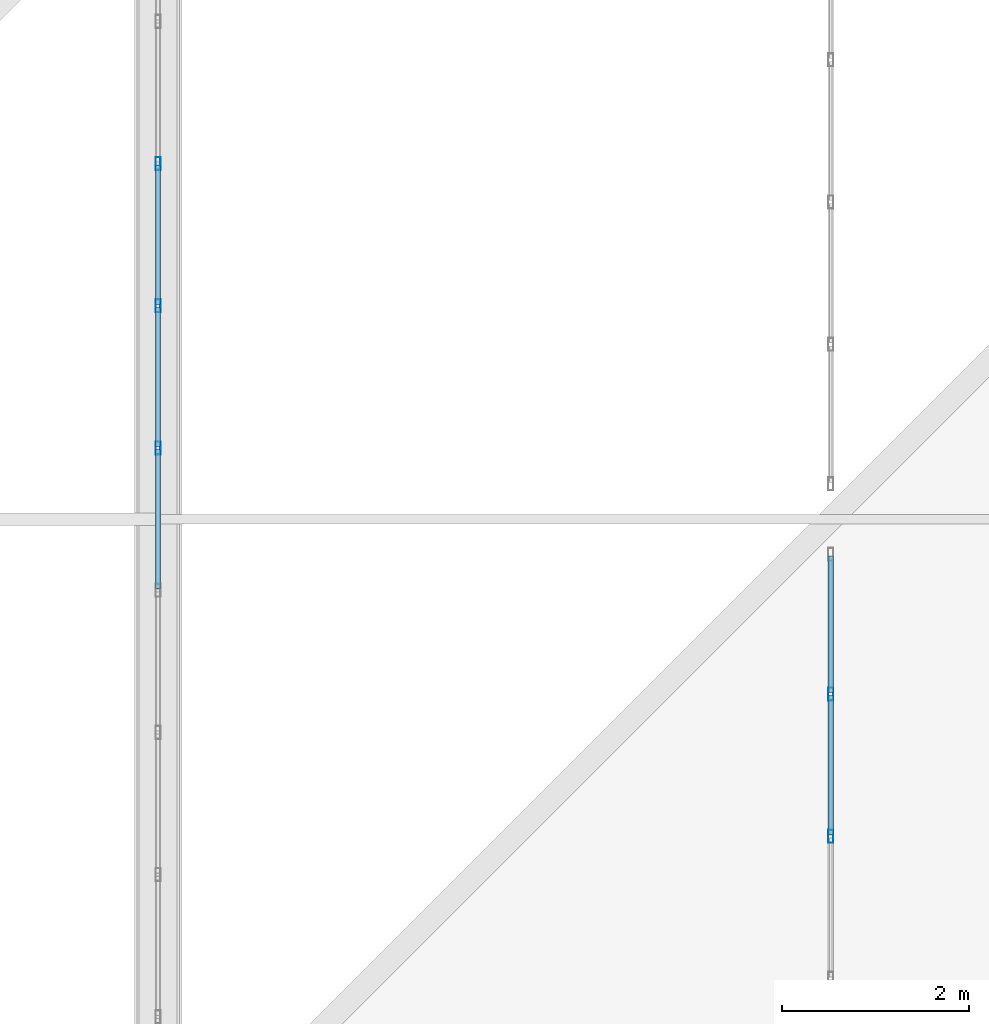
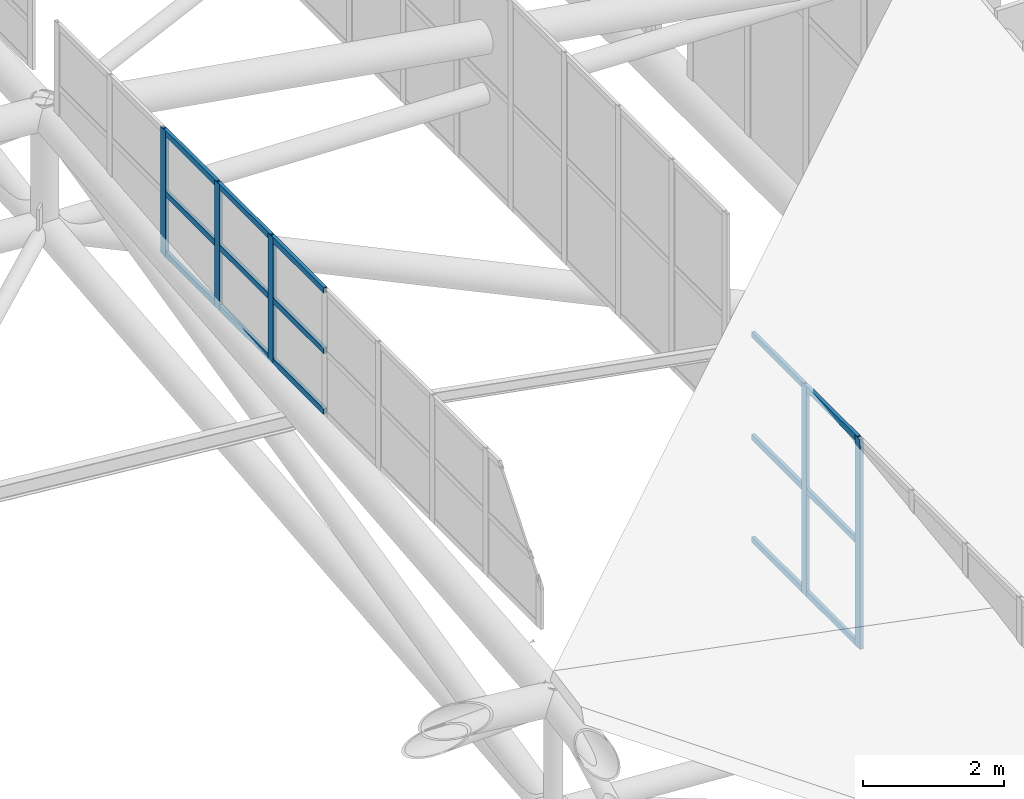
# One storey, part 141 of 397: 20 members, 2 elements without a shape of their own.
"""IFC4 building model written with IfcOpenShell, lengths in metres."""

import ifcopenshell
import ifcopenshell.guid

model = None  # the IFC model being written
_history = None  # IfcOwnerHistory: only IFC2X3 demands one
_inside = {}  # id of a spatial element -> (the spatial element, [elements in it])
_under = {}  # id of a project, library or spatial element -> (it, [spatial elements below it])
_declared = {}  # id of a project -> (the project, [libraries it declares])
_typed = {}  # id of a type object -> (the type object, [elements of that type])
_made_of = {}  # id of a material, layer set ... -> (it, [elements and type objects made of it])


def new_model(schema):
    """Start an empty IFC model of exactly this schema.

    Asked for "IFC4X3", IfcOpenShell would pick the latest addendum, in which some entities
    have other attributes; the version numbers below select the first issue.
    IFC2X3 requires an IfcOwnerHistory on every rooted entity: one is made here for all.
    """
    global model, _history
    if schema == "IFC4X3":
        model = ifcopenshell.file(schema_version=(4, 3, 0, 0))
    else:
        model = ifcopenshell.file(schema=schema)
    _inside.clear()
    _under.clear()
    _declared.clear()
    _typed.clear()
    _made_of.clear()
    _history = None
    if model.schema == "IFC2X3":
        org = make("IfcOrganization", Name="unknown")
        user = make(
            "IfcPersonAndOrganization",
            ThePerson=make("IfcPerson", FamilyName="unknown"),
            TheOrganization=org,
        )
        app = make(
            "IfcApplication",
            ApplicationDeveloper=org,
            Version="unknown",
            ApplicationFullName="unknown",
            ApplicationIdentifier="unknown",
        )
        _history = make(
            "IfcOwnerHistory",
            OwningUser=user,
            OwningApplication=app,
            ChangeAction="ADDED",
            CreationDate=0,
        )
    return model


def make(cls, **values):
    """One entity of the class cls with the attributes given. An attribute that is None is left unset."""
    return model.create_entity(
        cls, **{name: value for name, value in values.items() if value is not None}
    )


def rooted(cls, **values):
    """An entity with a GlobalId (a new one), such as an element, a storey or a relation."""
    return make(cls, GlobalId=ifcopenshell.guid.new(), OwnerHistory=_history, **values)


def si_unit(unit_type, name, prefix=None):
    """IfcSIUnit, for example si_unit("LENGTHUNIT", "METRE", prefix="MILLI")."""
    return make("IfcSIUnit", UnitType=unit_type, Prefix=prefix, Name=name)


def assignment(units):
    """IfcUnitAssignment: the units of a project."""
    return None if units is None else make("IfcUnitAssignment", Units=units)


def point(xyz):
    """IfcCartesianPoint."""
    return None if xyz is None else make("IfcCartesianPoint", Coordinates=xyz)


def direction(xyz):
    """IfcDirection."""
    return None if xyz is None else make("IfcDirection", DirectionRatios=xyz)


def frame(location, z_axis=None, x_axis=None):
    """IfcAxis2Placement3D, a coordinate frame: its origin and axes. An axis left out is left unset."""
    return make(
        "IfcAxis2Placement3D",
        Location=point(location),
        Axis=direction(z_axis),
        RefDirection=direction(x_axis),
    )


def frame_2d(location, x_axis=None):
    """IfcAxis2Placement2D, a coordinate frame in the plane: its origin and x axis."""
    return make(
        "IfcAxis2Placement2D", Location=point(location), RefDirection=direction(x_axis)
    )


def origin():
    """The frame at (0, 0, 0) with its axes left unset."""
    return frame((0.0, 0.0, 0.0))


def origin_2d():
    """The frame at (0, 0) in the plane with its x axis left unset."""
    return frame_2d((0.0, 0.0))


def place(relative_to, where):
    """IfcLocalPlacement: puts the frame where relative to a parent placement (None: the world)."""
    return make(
        "IfcLocalPlacement", PlacementRelTo=relative_to, RelativePlacement=where
    )


def context(
    kind, dimensions, precision=None, world=None, true_north=None, identifier=None
):
    """IfcGeometricRepresentationContext, for example the 3D "Model" context."""
    return make(
        "IfcGeometricRepresentationContext",
        ContextIdentifier=identifier,
        ContextType=kind,
        CoordinateSpaceDimension=dimensions,
        Precision=precision,
        WorldCoordinateSystem=world,
        TrueNorth=true_north,
    )


def subcontext(parent, identifier, kind, view, scale=None):
    """IfcGeometricRepresentationSubContext, for example "Body" below "Model"."""
    return make(
        "IfcGeometricRepresentationSubContext",
        ContextIdentifier=identifier,
        ContextType=kind,
        ParentContext=parent,
        TargetScale=scale,
        TargetView=view,
    )


def project(units=None, contexts=None):
    """IfcProject with its units and contexts."""
    return rooted(
        "IfcProject",
        Name="project",
        RepresentationContexts=contexts,
        UnitsInContext=assignment(units),
    )


def spatial(cls, under=None, at=None, **own):
    """A site, building, storey or space (cls), placed at a placement, below another one or the project."""
    s = rooted(cls, ObjectPlacement=at, **own)
    if under is not None:
        _under.setdefault(under.id(), (under, []))[1].append(s)
    return s


def profile(cls, at=None, kind="AREA", **sizes):
    """A parametric profile (cls). Its sizes go by their IFC names, for example OverallWidth=200.0."""
    return make(cls, ProfileType=kind, Position=at, **sizes)


def hollow_rectangle(**sizes):
    """IfcRectangleHollowProfileDef."""
    return profile("IfcRectangleHollowProfileDef", **sizes)


def extrude(swept, where, along, depth):
    """IfcExtrudedAreaSolid: the profile swept, set in the frame where, extruded along a direction by depth."""
    return make(
        "IfcExtrudedAreaSolid",
        SweptArea=swept,
        Position=where,
        ExtrudedDirection=direction(along),
        Depth=depth,
    )


def shape(context_of_items, identifier, shape_type, items):
    """IfcShapeRepresentation: the items that make up one representation, for example the "Body"."""
    return make(
        "IfcShapeRepresentation",
        ContextOfItems=context_of_items,
        RepresentationIdentifier=identifier,
        RepresentationType=shape_type,
        Items=items,
    )


def material(Name=None, Category=None):
    """IfcMaterial."""
    return make("IfcMaterial", Name=Name, Category=Category)


def material_profile(
    of_material, cross_section, Name=None, Category=None, Priority=None
):
    """IfcMaterialProfile: a cross section and its material."""
    return make(
        "IfcMaterialProfile",
        Name=Name,
        Material=of_material,
        Profile=cross_section,
        Priority=Priority,
        Category=Category,
    )


def profile_set(profiles, Name=None, composite=None):
    """IfcMaterialProfileSet."""
    return make(
        "IfcMaterialProfileSet",
        Name=Name,
        MaterialProfiles=profiles,
        CompositeProfile=composite,
    )


def made_of(thing, what):
    """Note that an element or type object is made of a material, layer set ...; save() writes the relation."""
    if what is not None:
        _made_of.setdefault(what.id(), (what, []))[1].append(thing)
    return thing


def type_object(cls, material=None, **own):
    """A type object (cls), such as IfcWallType, which elements share."""
    return made_of(rooted(cls, **own), material)


def element(
    cls,
    number,
    at=None,
    inside=None,
    cuts=None,
    type_object=None,
    material=None,
    context=None,
    identifier="Body",
    shape_type=None,
    held_by="IfcProductDefinitionShape",
    body=None,
    shapes=None,
    **own,
):
    """One element of the class cls, such as IfcWall. Its Tag is "e" and its number.

    at: its placement. inside: the storey or other place that contains it. cuts: it is an
    opening in that element (IfcRelVoidsElement). A single representation is given by context,
    identifier, shape_type and body (its items); several are given by shapes. held_by: the class
    of the entity that holds the representations. save() writes the other relations.
    """
    e = rooted(cls, Tag="e%d" % number, ObjectPlacement=at, **own)
    if body is not None:
        shapes = [shape(context, identifier, shape_type, body)]
    if shapes is not None:
        e.Representation = make(held_by, Representations=shapes)
    if inside is not None:
        _inside.setdefault(inside.id(), (inside, []))[1].append(e)
    if cuts is not None:
        rooted(
            "IfcRelVoidsElement", RelatingBuildingElement=cuts, RelatedOpeningElement=e
        )
    if type_object is not None:
        _typed.setdefault(type_object.id(), (type_object, []))[1].append(e)
    return made_of(e, material)


def aggregate(whole, parts):
    """IfcRelAggregates: a whole, such as a stair, and the parts it consists of."""
    return rooted("IfcRelAggregates", RelatingObject=whole, RelatedObjects=parts)


def save(model, path):
    """Write the relations noted so far, then the file.

    IfcRelAggregates (storeys below a building ...), IfcRelContainedInSpatialStructure (elements
    in a storey), IfcRelDefinesByType, IfcRelAssociatesMaterial and IfcRelDeclares: one each for
    every whole, place, type object, material and project.
    """
    for whole, parts in _under.values():
        aggregate(whole, parts)
    for where, things in _inside.values():
        rooted(
            "IfcRelContainedInSpatialStructure",
            RelatedElements=things,
            RelatingStructure=where,
        )
    for kind, things in _typed.values():
        rooted("IfcRelDefinesByType", RelatedObjects=things, RelatingType=kind)
    for what, things in _made_of.values():
        rooted("IfcRelAssociatesMaterial", RelatedObjects=things, RelatingMaterial=what)
    for by, libraries in _declared.values():
        rooted("IfcRelDeclares", RelatingContext=by, RelatedDefinitions=libraries)
    model.write(path)


model = new_model("IFC4")

# Units and contexts
model_context = context("Model", 3, precision=1e-05, world=origin(), true_north=direction((0.0, 1.0)))
body_context = subcontext(model_context, "Body", "Model", "MODEL_VIEW")
ifc_project = project(units=[si_unit("LENGTHUNIT", "METRE"), si_unit("AREAUNIT", "SQUARE_METRE"), si_unit("VOLUMEUNIT", "CUBIC_METRE"), si_unit("PLANEANGLEUNIT", "RADIAN"), si_unit("MASSUNIT", "GRAM", prefix="KILO")], contexts=[model_context])

# Site, building, storey
site_placement = place(None, origin())
site = spatial("IfcSite", under=ifc_project, at=site_placement, CompositionType="ELEMENT")
building_placement = place(site_placement, origin())
building = spatial("IfcBuilding", under=site, at=building_placement, Name="Qandorah Velis Arena", CompositionType="ELEMENT")
storey_placement = place(building_placement, frame((0.0, 0.0, 27.5)))
storey = spatial("IfcBuildingStorey", under=building, at=storey_placement, Name="RF", CompositionType="ELEMENT", Elevation=27.5)

# Curtain wall, members
ifc_material_1 = material(Name="Solar-control low-E double glazing", Category="glass")
curtain_wall_type_1 = type_object("IfcCurtainWallType", Name="ARC-CW-SYS13", PredefinedType="USERDEFINED", material=ifc_material_1)
curtain_wall_1_placement = place(storey_placement, origin())
curtain_wall_1 = element("IfcCurtainWall", 1, at=curtain_wall_1_placement, inside=storey, type_object=curtain_wall_type_1, Name="Unitised curtain wall MON-2-1", ObjectType="UNITISED CURTAIN WALL", PredefinedType="USERDEFINED")
ifc_material_2 = material(Name="Champagne-bronze anodized aluminium 6063-T6", Category="aluminium")
ifc_material_profile_1 = material_profile(ifc_material_2, hollow_rectangle(XDim=0.054931640625, YDim=0.139892578125, WallThickness=0.0029296875, at=origin_2d()), Name="ALU MULLION 55x140")
ifc_profile_set_1 = profile_set([ifc_material_profile_1], Name="Champagne-bronze anodized aluminium 6063-T6")
member_type_1 = type_object("IfcMemberType", Name="ARC-CWM-140", PredefinedType="MULLION", material=ifc_profile_set_1)
member_1_placement = place(storey_placement, frame((108.0, 32.60546875, 3.5263671875), z_axis=(0.0, 0.0, 1.0), x_axis=(-1.0, 0.0, 0.0)))
member_1 = element("IfcMember", 2, at=member_1_placement, type_object=member_type_1, Name="CW13 mullion 8", PredefinedType="MULLION", context=body_context, shape_type="SweptSolid", body=[
    extrude(hollow_rectangle(XDim=0.054931640625, YDim=0.139892578125, WallThickness=0.0029296875, at=origin_2d()), origin(), (0.0, 0.0, 1.0), 3.630126953125),
])
member_2_placement = place(storey_placement, frame((108.0, 34.127685546875, 3.5263671875), z_axis=(0.0, 0.0, 1.0), x_axis=(-1.0, 0.0, 0.0)))
member_2 = element("IfcMember", 3, at=member_2_placement, type_object=member_type_1, Name="CW13 mullion 9", PredefinedType="MULLION", context=body_context, shape_type="SweptSolid", body=[
    extrude(hollow_rectangle(XDim=0.054931640625, YDim=0.139892578125, WallThickness=0.0029296875, at=origin_2d()), origin(), (0.0, 0.0, 1.0), 3.630126953125),
])

curtain_wall_type_2 = type_object("IfcCurtainWallType", Name="ARC-CW-SYS11", PredefinedType="USERDEFINED", material=ifc_material_1)
curtain_wall_2_placement = place(storey_placement, origin())
curtain_wall_2 = element("IfcCurtainWall", 4, at=curtain_wall_2_placement, inside=storey, type_object=curtain_wall_type_2, Name="Unitised curtain wall OCULUS-2-1", ObjectType="UNITISED CURTAIN WALL", PredefinedType="USERDEFINED")
member_3_placement = place(storey_placement, frame((100.800048828125, 36.76123046875, 8.470947265625), z_axis=(0.0, 0.0, 1.0), x_axis=(-1.0, 0.0, 0.0)))
member_3 = element("IfcMember", 5, at=member_3_placement, type_object=member_type_1, Name="CW11 mullion 6", PredefinedType="MULLION", context=body_context, shape_type="SweptSolid", body=[
    extrude(hollow_rectangle(XDim=0.054931640625, YDim=0.139892578125, WallThickness=0.0029296875, at=origin_2d()), origin(), (0.0, 0.0, 1.0), 2.179931640625),
])
member_4_placement = place(storey_placement, frame((100.800048828125, 38.283447265625, 8.470947265625), z_axis=(0.0, 0.0, 1.0), x_axis=(-1.0, 0.0, 0.0)))
member_4 = element("IfcMember", 6, at=member_4_placement, type_object=member_type_1, Name="CW11 mullion 7", PredefinedType="MULLION", context=body_context, shape_type="SweptSolid", body=[
    extrude(hollow_rectangle(XDim=0.054931640625, YDim=0.139892578125, WallThickness=0.0029296875, at=origin_2d()), origin(), (0.0, 0.0, 1.0), 2.179931640625),
])
member_5_placement = place(storey_placement, frame((100.800048828125, 39.8056640625, 8.470947265625), z_axis=(0.0, 0.0, 1.0), x_axis=(-1.0, 0.0, 0.0)))
member_5 = element("IfcMember", 7, at=member_5_placement, type_object=member_type_1, Name="CW11 mullion 8", PredefinedType="MULLION", context=body_context, shape_type="SweptSolid", body=[
    extrude(hollow_rectangle(XDim=0.054931640625, YDim=0.139892578125, WallThickness=0.0029296875, at=origin_2d()), origin(), (0.0, 0.0, 1.0), 2.179931640625),
])

# Member
ifc_material_profile_2 = material_profile(ifc_material_2, hollow_rectangle(XDim=0.054931640625, YDim=0.10009765625, WallThickness=0.0029296875, at=origin_2d()), Name="ALU TRANSOM 55x100")
ifc_profile_set_2 = profile_set([ifc_material_profile_2], Name="Champagne-bronze anodized aluminium 6063-T6")
member_type_2 = type_object("IfcMemberType", Name="ARC-CWT-100", PredefinedType="USERDEFINED", material=ifc_profile_set_2)
member_6_placement = place(storey_placement, frame((108.0, 32.62109375, 3.56884765625), z_axis=(0.0, 1.0, 0.0), x_axis=(-1.0, 0.0, 0.0)))
member_6 = element("IfcMember", 8, at=member_6_placement, type_object=member_type_2, Name="CW13 transom 8.1", ObjectType="TRANSOM", PredefinedType="USERDEFINED", context=body_context, shape_type="SweptSolid", body=[
    extrude(hollow_rectangle(XDim=0.054931640625, YDim=0.10009765625, WallThickness=0.0029296875, at=origin_2d()), origin(), (0.0, 0.0, 1.0), 1.4912109375),
])

member_7_placement = place(storey_placement, frame((108.0, 32.62109375, 5.34130859375), z_axis=(0.0, 1.0, 0.0), x_axis=(-1.0, 0.0, 0.0)))
member_7 = element("IfcMember", 9, at=member_7_placement, type_object=member_type_2, Name="CW13 transom 8.2", ObjectType="TRANSOM", PredefinedType="USERDEFINED", context=body_context, shape_type="SweptSolid", body=[
    extrude(hollow_rectangle(XDim=0.054931640625, YDim=0.10009765625, WallThickness=0.0029296875, at=origin_2d()), origin(), (0.0, 0.0, 1.0), 1.4912109375),
])

member_8_placement = place(storey_placement, frame((108.0, 32.62109375, 7.114013671875), z_axis=(0.0, 1.0, 0.0), x_axis=(-1.0, 0.0, 0.0)))
member_8 = element("IfcMember", 10, at=member_8_placement, type_object=member_type_2, Name="CW13 transom 8.3", ObjectType="TRANSOM", PredefinedType="USERDEFINED", context=body_context, shape_type="SweptSolid", body=[
    extrude(hollow_rectangle(XDim=0.054931640625, YDim=0.10009765625, WallThickness=0.0029296875, at=origin_2d()), origin(), (0.0, 0.0, 1.0), 1.4912109375),
])

member_9_placement = place(storey_placement, frame((108.0, 34.143310546875, 3.56884765625), z_axis=(0.0, 1.0, 0.0), x_axis=(-1.0, 0.0, 0.0)))
member_9 = element("IfcMember", 11, at=member_9_placement, type_object=member_type_2, Name="CW13 transom 9.1", ObjectType="TRANSOM", PredefinedType="USERDEFINED", context=body_context, shape_type="SweptSolid", body=[
    extrude(hollow_rectangle(XDim=0.054931640625, YDim=0.10009765625, WallThickness=0.0029296875, at=origin_2d()), origin(), (0.0, 0.0, 1.0), 1.463623046875),
])

member_10_placement = place(storey_placement, frame((108.0, 34.143310546875, 5.34130859375), z_axis=(0.0, 1.0, 0.0), x_axis=(-1.0, 0.0, 0.0)))
member_10 = element("IfcMember", 12, at=member_10_placement, type_object=member_type_2, Name="CW13 transom 9.2", ObjectType="TRANSOM", PredefinedType="USERDEFINED", context=body_context, shape_type="SweptSolid", body=[
    extrude(hollow_rectangle(XDim=0.054931640625, YDim=0.10009765625, WallThickness=0.0029296875, at=origin_2d()), origin(), (0.0, 0.0, 1.0), 1.463623046875),
])

member_11_placement = place(storey_placement, frame((108.0, 34.143310546875, 7.114013671875), z_axis=(0.0, 1.0, 0.0), x_axis=(-1.0, 0.0, 0.0)))
member_11 = element("IfcMember", 13, at=member_11_placement, type_object=member_type_2, Name="CW13 transom 9.3", ObjectType="TRANSOM", PredefinedType="USERDEFINED", context=body_context, shape_type="SweptSolid", body=[
    extrude(hollow_rectangle(XDim=0.054931640625, YDim=0.10009765625, WallThickness=0.0029296875, at=origin_2d()), origin(), (0.0, 0.0, 1.0), 1.463623046875),
])

aggregate(curtain_wall_1, [member_1, member_2, member_6, member_7, member_8, member_9, member_10, member_11])

member_12_placement = place(storey_placement, frame((100.800048828125, 35.25439453125, 8.513427734375), z_axis=(0.0, 1.0, 0.0), x_axis=(-1.0, 0.0, 0.0)))
member_12 = element("IfcMember", 14, at=member_12_placement, type_object=member_type_2, Name="CW11 transom 5.1", ObjectType="TRANSOM", PredefinedType="USERDEFINED", context=body_context, shape_type="SweptSolid", body=[
    extrude(hollow_rectangle(XDim=0.054931640625, YDim=0.10009765625, WallThickness=0.0029296875, at=origin_2d()), origin(), (0.0, 0.0, 1.0), 1.4912109375),
])

member_13_placement = place(storey_placement, frame((100.800048828125, 35.25439453125, 9.56103515625), z_axis=(0.0, 1.0, 0.0), x_axis=(-1.0, 0.0, 0.0)))
member_13 = element("IfcMember", 15, at=member_13_placement, type_object=member_type_2, Name="CW11 transom 5.2", ObjectType="TRANSOM", PredefinedType="USERDEFINED", context=body_context, shape_type="SweptSolid", body=[
    extrude(hollow_rectangle(XDim=0.054931640625, YDim=0.10009765625, WallThickness=0.0029296875, at=origin_2d()), origin(), (0.0, 0.0, 1.0), 1.4912109375),
])

member_14_placement = place(storey_placement, frame((100.800048828125, 35.25439453125, 10.6083984375), z_axis=(0.0, 1.0, 0.0), x_axis=(-1.0, 0.0, 0.0)))
member_14 = element("IfcMember", 16, at=member_14_placement, type_object=member_type_2, Name="CW11 transom 5.3", ObjectType="TRANSOM", PredefinedType="USERDEFINED", context=body_context, shape_type="SweptSolid", body=[
    extrude(hollow_rectangle(XDim=0.054931640625, YDim=0.10009765625, WallThickness=0.0029296875, at=origin_2d()), origin(), (0.0, 0.0, 1.0), 1.4912109375),
])

member_15_placement = place(storey_placement, frame((100.800048828125, 36.776611328125, 8.513427734375), z_axis=(0.0, 1.0, 0.0), x_axis=(-1.0, 0.0, 0.0)))
member_15 = element("IfcMember", 17, at=member_15_placement, type_object=member_type_2, Name="CW11 transom 6.1", ObjectType="TRANSOM", PredefinedType="USERDEFINED", context=body_context, shape_type="SweptSolid", body=[
    extrude(hollow_rectangle(XDim=0.054931640625, YDim=0.10009765625, WallThickness=0.0029296875, at=origin_2d()), origin(), (0.0, 0.0, 1.0), 1.4912109375),
])

member_16_placement = place(storey_placement, frame((100.800048828125, 36.776611328125, 9.56103515625), z_axis=(0.0, 1.0, 0.0), x_axis=(-1.0, 0.0, 0.0)))
member_16 = element("IfcMember", 18, at=member_16_placement, type_object=member_type_2, Name="CW11 transom 6.2", ObjectType="TRANSOM", PredefinedType="USERDEFINED", context=body_context, shape_type="SweptSolid", body=[
    extrude(hollow_rectangle(XDim=0.054931640625, YDim=0.10009765625, WallThickness=0.0029296875, at=origin_2d()), origin(), (0.0, 0.0, 1.0), 1.4912109375),
])

member_17_placement = place(storey_placement, frame((100.800048828125, 36.776611328125, 10.6083984375), z_axis=(0.0, 1.0, 0.0), x_axis=(-1.0, 0.0, 0.0)))
member_17 = element("IfcMember", 19, at=member_17_placement, type_object=member_type_2, Name="CW11 transom 6.3", ObjectType="TRANSOM", PredefinedType="USERDEFINED", context=body_context, shape_type="SweptSolid", body=[
    extrude(hollow_rectangle(XDim=0.054931640625, YDim=0.10009765625, WallThickness=0.0029296875, at=origin_2d()), origin(), (0.0, 0.0, 1.0), 1.4912109375),
])

member_18_placement = place(storey_placement, frame((100.800048828125, 38.298828125, 8.513427734375), z_axis=(0.0, 1.0, 0.0), x_axis=(-1.0, 0.0, 0.0)))
member_18 = element("IfcMember", 20, at=member_18_placement, type_object=member_type_2, Name="CW11 transom 7.1", ObjectType="TRANSOM", PredefinedType="USERDEFINED", context=body_context, shape_type="SweptSolid", body=[
    extrude(hollow_rectangle(XDim=0.054931640625, YDim=0.10009765625, WallThickness=0.0029296875, at=origin_2d()), origin(), (0.0, 0.0, 1.0), 1.4912109375),
])

member_19_placement = place(storey_placement, frame((100.800048828125, 38.298828125, 9.56103515625), z_axis=(0.0, 1.0, 0.0), x_axis=(-1.0, 0.0, 0.0)))
member_19 = element("IfcMember", 21, at=member_19_placement, type_object=member_type_2, Name="CW11 transom 7.2", ObjectType="TRANSOM", PredefinedType="USERDEFINED", context=body_context, shape_type="SweptSolid", body=[
    extrude(hollow_rectangle(XDim=0.054931640625, YDim=0.10009765625, WallThickness=0.0029296875, at=origin_2d()), origin(), (0.0, 0.0, 1.0), 1.4912109375),
])

member_20_placement = place(storey_placement, frame((100.800048828125, 38.298828125, 10.6083984375), z_axis=(0.0, 1.0, 0.0), x_axis=(-1.0, 0.0, 0.0)))
member_20 = element("IfcMember", 22, at=member_20_placement, type_object=member_type_2, Name="CW11 transom 7.3", ObjectType="TRANSOM", PredefinedType="USERDEFINED", context=body_context, shape_type="SweptSolid", body=[
    extrude(hollow_rectangle(XDim=0.054931640625, YDim=0.10009765625, WallThickness=0.0029296875, at=origin_2d()), origin(), (0.0, 0.0, 1.0), 1.4912109375),
])

aggregate(curtain_wall_2, [member_3, member_4, member_5, member_12, member_13, member_14, member_15, member_16, member_17, member_18, member_19, member_20])

save(model, "model.ifc")
